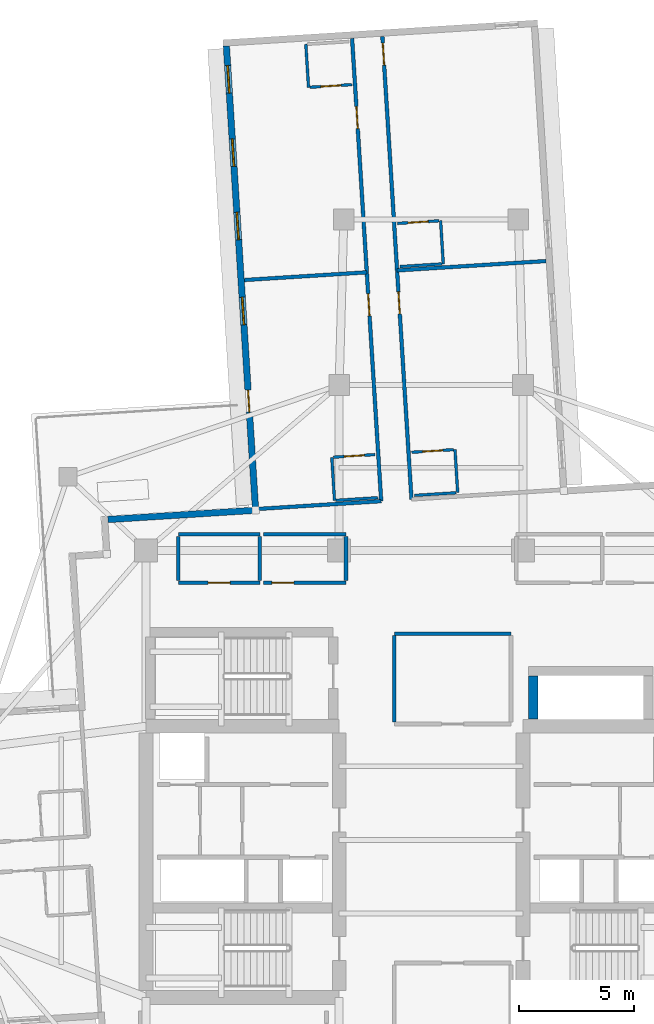
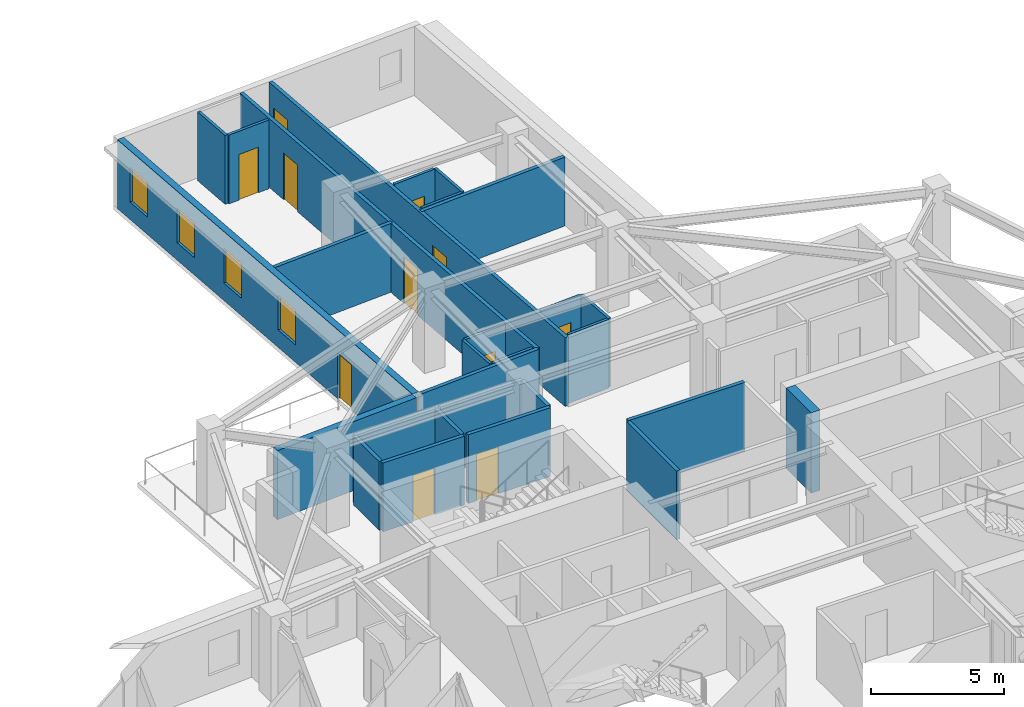
# One storey, part 7 of 13: 28 walls, 11 doors, 4 windows, 15 openings.
"""IFC4 building model written with IfcOpenShell, lengths in metres."""

from ifc_helpers import new_model, si_unit, direction, frame, frame_2d, origin, place, context, subcontext, project, spatial, rectangle, extrude, material, layer, layer_set, type_object, element, fill, save


model = new_model("IFC4")

# Units and contexts
model_context = context("Model", 3, precision=1e-05, world=origin(), true_north=direction((0.0, 1.0)))
body_context = subcontext(model_context, "Body", "Model", "MODEL_VIEW")
ifc_project = project(units=[si_unit("LENGTHUNIT", "METRE"), si_unit("AREAUNIT", "SQUARE_METRE"), si_unit("VOLUMEUNIT", "CUBIC_METRE"), si_unit("PLANEANGLEUNIT", "RADIAN"), si_unit("MASSUNIT", "GRAM", prefix="KILO")], contexts=[model_context])

# Site, building, storey
site_placement = place(None, origin())
site = spatial("IfcSite", under=ifc_project, at=site_placement, CompositionType="ELEMENT")
building_placement = place(site_placement, origin())
building = spatial("IfcBuilding", under=site, at=building_placement, Name="Qingluan Cross Belvedere", CompositionType="ELEMENT")
storey_placement = place(building_placement, frame((0.0, 0.0, 201.300048828125)))
storey = spatial("IfcBuildingStorey", under=building, at=storey_placement, Name="L50", CompositionType="ELEMENT", Elevation=201.300048828125)

# Wall
ifc_material_1 = material(Name="Concrete C50", Category="concrete")
ifc_layer_1 = layer(ifc_material_1, 0.449951171875, Name="CoreShearWall_450")
ifc_layer_set_1 = layer_set([ifc_layer_1], Name="Concrete C50")
wall_type_1 = type_object("IfcWallType", Name="CoreShearWall_450", PredefinedType="SHEAR", material=ifc_layer_set_1)
wall_1_placement = place(storey_placement, frame((4.449951171875, 5.2548828125, 0.0), z_axis=(0.0, 0.0, 1.0), x_axis=(0.0, 1.0, 0.0)))
element("IfcWall", 1, at=wall_1_placement, inside=storey, type_object=wall_type_1, Name="Express shuttle core wall L50-W", PredefinedType="SHEAR", context=body_context, shape_type="SweptSolid", body=[
    extrude(rectangle(XDim=1.885009765625, YDim=0.39990234375, at=frame_2d((0.9423828125, 0.0))), origin(), (0.0, 0.0, 1.0), 3.699951171875),
])

# Wall, opening, door
ifc_material_2 = material(Name="Gypsum plasterboard on steel stud acoustic partition", Category="steel")
ifc_layer_2 = layer(ifc_material_2, 0.159912109375, Name="CorridorPartition_160")
ifc_layer_set_2 = layer_set([ifc_layer_2], Name="Gypsum plasterboard on steel stud acoustic partition")
wall_type_2 = type_object("IfcWallType", Name="CorridorPartition_160", PredefinedType="PARTITIONING", material=ifc_layer_set_2)
wall_2_placement = place(storey_placement, frame((-11.0, 11.199951171875, 0.0), z_axis=(0.0, 0.0, 1.0), x_axis=(1.0, 0.0, 0.0)))
wall_2 = element("IfcWall", 2, at=wall_2_placement, inside=storey, type_object=wall_type_2, Name="Partition L50:q_nw1:S", PredefinedType="PARTITIONING", context=body_context, shape_type="SweptSolid", body=[
    extrude(rectangle(XDim=3.550048828125, YDim=0.159912109375, at=frame_2d((1.77490234375, 0.0))), origin(), (0.0, 0.0, 1.0), 3.169921875),
])
opening_1_placement = place(wall_2_placement, frame((1.294921875, 0.0, 0.0)))
opening_1 = element("IfcOpeningElement", 3, at=opening_1_placement, cuts=wall_2, Name="Opening GD-10", PredefinedType="OPENING", context=body_context, shape_type="SweptSolid", body=[
    extrude(rectangle(XDim=0.9599609375, YDim=2.14990234375, at=frame_2d((0.47998046875, 1.074951171875))), frame((0.0, 0.08984375, 0.0), z_axis=(0.0, -1.0, 0.0), x_axis=(1.0, 0.0, 0.0)), (0.0, 0.0, 1.0), 0.179931640625),
])
ifc_material_3 = material(Name="Timber oak fire-rated acoustic guestroom door", Category="wood")
door_type_1 = type_object("IfcDoorType", Name="GuestEntryDoor_FD60", OperationType="NOTDEFINED", PredefinedType="DOOR", material=ifc_material_3)
door_1_placement = place(opening_1_placement, origin())
door_1 = element("IfcDoor", 4, at=door_1_placement, inside=storey, type_object=door_type_1, Name="Northwest sky parlor L50 door", OperationType="SINGLE_SWING_RIGHT", OverallHeight=2.14990234375, OverallWidth=0.9599609375, PredefinedType="DOOR", context=body_context, shape_type="SweptSolid", body=[
    extrude(rectangle(XDim=0.9599609375, YDim=2.14990234375, at=frame_2d((0.47998046875, 1.074951171875))), frame((0.0, 0.02490234375, 0.0), z_axis=(0.0, -1.0, 0.0), x_axis=(1.0, 0.0, 0.0)), (0.0, 0.0, 1.0), 0.050048828125),
])
fill(opening_1, door_1)

# Walls
wall_3_placement = place(storey_placement, frame((-11.0, 13.300048828125, 0.0), z_axis=(0.0, 0.0, 1.0), x_axis=(1.0, 0.0, 0.0)))
element("IfcWall", 5, at=wall_3_placement, inside=storey, type_object=wall_type_2, Name="Partition L50:q_nw1:N", PredefinedType="PARTITIONING", context=body_context, shape_type="SweptSolid", body=[
    extrude(rectangle(XDim=3.550048828125, YDim=0.159912109375, at=frame_2d((1.77490234375, 0.0))), origin(), (0.0, 0.0, 1.0), 3.169921875),
])
for number, where, z_axis, x_axis, name in (
    (6, (-11.0, 11.284912109375, 0.0), (0.0, 0.0, 1.0), (0.0, 1.0, 0.0), "Partition L50:q_nw1:W"),
    (7, (-7.449951171875, 11.284912109375, 0.0), (0.0, 0.0, 1.0), (0.0, 1.0, 0.0), "Partition L50:q_nw1:E"),
):
    element("IfcWall", number, at=place(storey_placement, frame(where, z_axis=z_axis, x_axis=x_axis)), inside=storey, type_object=wall_type_2, Name=name, PredefinedType="PARTITIONING", context=body_context, shape_type="SweptSolid", body=[
        extrude(rectangle(XDim=1.93017578125, YDim=0.159912109375, at=frame_2d((0.965087890625, 0.0))), origin(), (0.0, 0.0, 1.0), 3.169921875),
    ])

# Wall, opening, door
wall_4_placement = place(storey_placement, frame((-7.2900390625, 11.199951171875, 0.0), z_axis=(0.0, 0.0, 1.0), x_axis=(1.0, 0.0, 0.0)))
wall_4 = element("IfcWall", 8, at=wall_4_placement, inside=storey, type_object=wall_type_2, Name="Partition L50:q_nw2:S", PredefinedType="PARTITIONING", context=body_context, shape_type="SweptSolid", body=[
    extrude(rectangle(XDim=3.590087890625, YDim=0.159912109375, at=frame_2d((1.794921875, 0.0))), origin(), (0.0, 0.0, 1.0), 3.169921875),
])
opening_2_placement = place(wall_4_placement, frame((0.364990234375, 0.0, 0.0)))
opening_2 = element("IfcOpeningElement", 9, at=opening_2_placement, cuts=wall_4, Name="Opening GD-10", PredefinedType="OPENING", context=body_context, shape_type="SweptSolid", body=[
    extrude(rectangle(XDim=0.9599609375, YDim=2.14990234375, at=frame_2d((0.47998046875, 1.074951171875))), frame((0.0, 0.08984375, 0.0), z_axis=(0.0, -1.0, 0.0), x_axis=(1.0, 0.0, 0.0)), (0.0, 0.0, 1.0), 0.179931640625),
])
door_2_placement = place(opening_2_placement, origin())
door_2 = element("IfcDoor", 10, at=door_2_placement, inside=storey, type_object=door_type_1, Name="Northwest study salon L50 door", OperationType="SINGLE_SWING_LEFT", OverallHeight=2.14990234375, OverallWidth=0.9599609375, PredefinedType="DOOR", context=body_context, shape_type="SweptSolid", body=[
    extrude(rectangle(XDim=0.9599609375, YDim=2.14990234375, at=frame_2d((0.47998046875, 1.074951171875))), frame((0.0, 0.02490234375, 0.0), z_axis=(0.0, -1.0, 0.0), x_axis=(1.0, 0.0, 0.0)), (0.0, 0.0, 1.0), 0.050048828125),
])
fill(opening_2, door_2)

# Walls
wall_5_placement = place(storey_placement, frame((-7.2900390625, 13.300048828125, 0.0), z_axis=(0.0, 0.0, 1.0), x_axis=(1.0, 0.0, 0.0)))
element("IfcWall", 11, at=wall_5_placement, inside=storey, type_object=wall_type_2, Name="Partition L50:q_nw2:N", PredefinedType="PARTITIONING", context=body_context, shape_type="SweptSolid", body=[
    extrude(rectangle(XDim=3.590087890625, YDim=0.159912109375, at=frame_2d((1.794921875, 0.0))), origin(), (0.0, 0.0, 1.0), 3.169921875),
])
wall_6_placement = place(storey_placement, frame((-3.699951171875, 11.284912109375, 0.0), z_axis=(0.0, 0.0, 1.0), x_axis=(0.0, 1.0, 0.0)))
element("IfcWall", 12, at=wall_6_placement, inside=storey, type_object=wall_type_2, Name="Partition L50:q_nw2:E", PredefinedType="PARTITIONING", context=body_context, shape_type="SweptSolid", body=[
    extrude(rectangle(XDim=1.93017578125, YDim=0.159912109375, at=frame_2d((0.965087890625, 0.0))), origin(), (0.0, 0.0, 1.0), 3.169921875),
])
wall_7_placement = place(storey_placement, frame((-1.60009765625, 8.97998046875, 0.0), z_axis=(0.0, 0.0, 1.0), x_axis=(1.0, 0.0, 0.0)))
element("IfcWall", 13, at=wall_7_placement, inside=storey, type_object=wall_type_2, Name="Partition L50:sky_tea_alcove:N", PredefinedType="PARTITIONING", context=body_context, shape_type="SweptSolid", body=[
    extrude(rectangle(XDim=5.080078125, YDim=0.159912109375, at=frame_2d((2.5400390625, 0.0))), origin(), (0.0, 0.0, 1.0), 3.169921875),
])
wall_8_placement = place(storey_placement, frame((-1.60009765625, 5.135009765625, 0.0), z_axis=(0.0, 0.0, 1.0), x_axis=(0.0, 1.0, 0.0)))
element("IfcWall", 14, at=wall_8_placement, inside=storey, type_object=wall_type_2, Name="Partition L50:sky_tea_alcove:W", PredefinedType="PARTITIONING", context=body_context, shape_type="SweptSolid", body=[
    extrude(rectangle(XDim=3.760009765625, YDim=0.159912109375, at=frame_2d((1.8798828125, 0.0))), origin(), (0.0, 0.0, 1.0), 3.169921875),
])

# Wall, openings, doors
wall_9_placement = place(storey_placement, frame((-0.8525390625, 14.82568359375, 0.0), z_axis=(0.0, 0.0, 1.0), x_axis=(-0.062794751284, 0.99802646218, 0.0)))
wall_9 = element("IfcWall", 15, at=wall_9_placement, inside=storey, type_object=wall_type_2, Name="Partition L50:N:c0", PredefinedType="PARTITIONING", context=body_context, shape_type="SweptSolid", body=[
    extrude(rectangle(XDim=20.18212890625, YDim=0.159912109375, at=frame_2d((10.091064453125, 0.0))), origin(), (0.0, 0.0, 1.0), 3.169921875),
])
opening_3_placement = place(wall_9_placement, frame((8.080078125, 0.0, 0.0)))
opening_3 = element("IfcOpeningElement", 16, at=opening_3_placement, cuts=wall_9, Name="Opening GD-10", PredefinedType="OPENING", context=body_context, shape_type="SweptSolid", body=[
    extrude(rectangle(XDim=0.9599609375, YDim=2.14990234375, at=frame_2d((0.47998046875, 1.074951171875))), frame((0.0, 0.08984375, 0.0), z_axis=(0.0, -1.0, 0.0), x_axis=(1.0, 0.0, 0.0)), (0.0, 0.0, 1.0), 0.179931640625),
])
opening_4_placement = place(wall_9_placement, frame((18.929931640625, 0.0, 0.0)))
opening_4 = element("IfcOpeningElement", 17, at=opening_4_placement, cuts=wall_9, Name="Opening GD-10", PredefinedType="OPENING", context=body_context, shape_type="SweptSolid", body=[
    extrude(rectangle(XDim=0.9599609375, YDim=2.14990234375, at=frame_2d((0.47998046875, 1.074951171875))), frame((0.0, 0.08984375, 0.0), z_axis=(0.0, -1.0, 0.0), x_axis=(1.0, 0.0, 0.0)), (0.0, 0.0, 1.0), 0.179931640625),
])
door_3_placement = place(opening_3_placement, origin())
door_3 = element("IfcDoor", 18, at=door_3_placement, inside=storey, type_object=door_type_1, Name="Guest entry fire door 5013", OperationType="SINGLE_SWING_LEFT", OverallHeight=2.14990234375, OverallWidth=0.9599609375, PredefinedType="DOOR", context=body_context, shape_type="SweptSolid", body=[
    extrude(rectangle(XDim=0.9599609375, YDim=2.14990234375, at=frame_2d((0.47998046875, 1.074951171875))), frame((0.0, 0.02490234375, 0.0), z_axis=(0.0, -1.0, 0.0), x_axis=(1.0, 0.0, 0.0)), (0.0, 0.0, 1.0), 0.050048828125),
])
fill(opening_3, door_3)
door_4_placement = place(opening_4_placement, origin())
door_4 = element("IfcDoor", 19, at=door_4_placement, inside=storey, type_object=door_type_1, Name="Guest entry fire door 5014", OperationType="SINGLE_SWING_LEFT", OverallHeight=2.14990234375, OverallWidth=0.9599609375, PredefinedType="DOOR", context=body_context, shape_type="SweptSolid", body=[
    extrude(rectangle(XDim=0.9599609375, YDim=2.14990234375, at=frame_2d((0.47998046875, 1.074951171875))), frame((0.0, 0.02490234375, 0.0), z_axis=(0.0, -1.0, 0.0), x_axis=(1.0, 0.0, 0.0)), (0.0, 0.0, 1.0), 0.050048828125),
])
fill(opening_4, door_4)

# Wall
wall_10_placement = place(storey_placement, frame((-1.47900390625, 24.783935546875, 0.0), z_axis=(0.0, 0.0, 1.0), x_axis=(0.998025855021, 0.062804400403, 0.0)))
element("IfcWall", 20, at=wall_10_placement, inside=storey, type_object=wall_type_2, Name="Partition L50:N:d0_0", PredefinedType="PARTITIONING", context=body_context, shape_type="SweptSolid", body=[
    extrude(rectangle(XDim=6.49169921875, YDim=0.159912109375, at=frame_2d((3.245849609375, 0.0))), origin(), (0.0, 0.0, 1.0), 3.169921875),
])

# Wall, openings, doors
wall_11_placement = place(storey_placement, frame((-2.169921875, 14.742919921875, 0.0), z_axis=(0.0, 0.0, 1.0), x_axis=(-0.062795509413, 0.998026414479, 0.0)))
wall_11 = element("IfcWall", 21, at=wall_11_placement, inside=storey, type_object=wall_type_2, Name="Partition L50:N:c1", PredefinedType="PARTITIONING", context=body_context, shape_type="SweptSolid", body=[
    extrude(rectangle(XDim=20.181884765625, YDim=0.159912109375, at=frame_2d((10.0908203125, 0.0))), origin(), (0.0, 0.0, 1.0), 3.169921875),
])
opening_5_placement = place(wall_11_placement, frame((8.080078125, 0.0, 0.0)))
opening_5 = element("IfcOpeningElement", 22, at=opening_5_placement, cuts=wall_11, Name="Opening GD-10", PredefinedType="OPENING", context=body_context, shape_type="SweptSolid", body=[
    extrude(rectangle(XDim=0.9599609375, YDim=2.14990234375, at=frame_2d((0.47998046875, 1.074951171875))), frame((0.0, 0.08984375, 0.0), z_axis=(0.0, -1.0, 0.0), x_axis=(1.0, 0.0, 0.0)), (0.0, 0.0, 1.0), 0.179931640625),
])
opening_6_placement = place(wall_11_placement, frame((16.2470703125, 0.0, 0.0)))
opening_6 = element("IfcOpeningElement", 23, at=opening_6_placement, cuts=wall_11, Name="Opening GD-10", PredefinedType="OPENING", context=body_context, shape_type="SweptSolid", body=[
    extrude(rectangle(XDim=0.9599609375, YDim=2.14990234375, at=frame_2d((0.47998046875, 1.074951171875))), frame((0.0, 0.08984375, 0.0), z_axis=(0.0, -1.0, 0.0), x_axis=(1.0, 0.0, 0.0)), (0.0, 0.0, 1.0), 0.179931640625),
])
door_5_placement = place(opening_5_placement, origin())
door_5 = element("IfcDoor", 24, at=door_5_placement, inside=storey, type_object=door_type_1, Name="Guest entry fire door 5015", OperationType="SINGLE_SWING_LEFT", OverallHeight=2.14990234375, OverallWidth=0.9599609375, PredefinedType="DOOR", context=body_context, shape_type="SweptSolid", body=[
    extrude(rectangle(XDim=0.9599609375, YDim=2.14990234375, at=frame_2d((0.47998046875, 1.074951171875))), frame((0.0, 0.02490234375, 0.0), z_axis=(0.0, -1.0, 0.0), x_axis=(1.0, 0.0, 0.0)), (0.0, 0.0, 1.0), 0.050048828125),
])
fill(opening_5, door_5)
door_6_placement = place(opening_6_placement, origin())
door_6 = element("IfcDoor", 25, at=door_6_placement, inside=storey, type_object=door_type_1, Name="Guest entry fire door 5016", OperationType="SINGLE_SWING_LEFT", OverallHeight=2.14990234375, OverallWidth=0.9599609375, PredefinedType="DOOR", context=body_context, shape_type="SweptSolid", body=[
    extrude(rectangle(XDim=0.9599609375, YDim=2.14990234375, at=frame_2d((0.47998046875, 1.074951171875))), frame((0.0, 0.02490234375, 0.0), z_axis=(0.0, -1.0, 0.0), x_axis=(1.0, 0.0, 0.0)), (0.0, 0.0, 1.0), 0.050048828125),
])
fill(opening_6, door_6)

# Walls
wall_12_placement = place(storey_placement, frame((-2.169921875, 14.742919921875, 0.0), z_axis=(0.0, 0.0, 1.0), x_axis=(-0.998025093119, -0.06281650662, 0.0)))
element("IfcWall", 26, at=wall_12_placement, inside=storey, type_object=wall_type_2, Name="Partition L50:N:s1", PredefinedType="PARTITIONING", context=body_context, shape_type="SweptSolid", body=[
    extrude(rectangle(XDim=5.47998046875, YDim=0.159912109375, at=frame_2d((2.739990234375, 0.0))), origin(), (0.0, 0.0, 1.0), 3.169921875),
])
wall_13_placement = place(storey_placement, frame((-2.79638671875, 24.701171875, 0.0), z_axis=(0.0, 0.0, 1.0), x_axis=(-0.998027735445, -0.062774511414, 0.0)))
element("IfcWall", 27, at=wall_13_placement, inside=storey, type_object=wall_type_2, Name="Partition L50:N:d1_0", PredefinedType="PARTITIONING", context=body_context, shape_type="SweptSolid", body=[
    extrude(rectangle(XDim=5.33203125, YDim=0.159912109375, at=frame_2d((2.666015625, 0.0))), origin(), (0.0, 0.0, 1.0), 3.169921875),
])

# Wall, opening, door
ifc_material_4 = material(Name="Moisture-resistant gypsum board lining")
ifc_layer_3 = layer(ifc_material_4, 0.1201171875, Name="EnsuiteWetPartition_120")
ifc_layer_set_3 = layer_set([ifc_layer_3], Name="Moisture-resistant gypsum board lining")
wall_type_3 = type_object("IfcWallType", Name="EnsuiteWetPartition_120", PredefinedType="PARTITIONING", material=ifc_layer_set_3)
wall_14_placement = place(storey_placement, frame((-0.841064453125, 16.87060546875, 0.0), z_axis=(0.0, 0.0, 1.0), x_axis=(0.998027443946, 0.062779145668, 0.0)))
wall_14 = element("IfcWall", 28, at=wall_14_placement, inside=storey, type_object=wall_type_3, Name="Partition L50:N:bs0_0", PredefinedType="PARTITIONING", context=body_context, shape_type="SweptSolid", body=[
    extrude(rectangle(XDim=1.820068359375, YDim=0.1201171875, at=frame_2d((0.91015625, 0.0))), origin(), (0.0, 0.0, 1.0), 3.169921875),
])
opening_7_placement = place(wall_14_placement, frame((0.469970703125, 0.0, 0.0)))
opening_7 = element("IfcOpeningElement", 29, at=opening_7_placement, cuts=wall_14, Name="Opening BD-09", PredefinedType="OPENING", context=body_context, shape_type="SweptSolid", body=[
    extrude(rectangle(XDim=0.8798828125, YDim=2.10009765625, at=frame_2d((0.43994140625, 1.050048828125))), frame((0.0, 0.070068359375, 0.0), z_axis=(0.0, -1.0, 0.0), x_axis=(1.0, 0.0, 0.0)), (0.0, 0.0, 1.0), 0.14013671875),
])
ifc_material_5 = material(Name="Moisture-sealed timber en-suite door", Category="wood")
door_type_2 = type_object("IfcDoorType", Name="BathroomDoor_880", OperationType="NOTDEFINED", PredefinedType="DOOR", material=ifc_material_5)
door_7_placement = place(opening_7_placement, origin())
door_7 = element("IfcDoor", 30, at=door_7_placement, inside=storey, type_object=door_type_2, Name="Bathroom door 5013", OperationType="SINGLE_SWING_RIGHT", OverallHeight=2.10009765625, OverallWidth=0.8798828125, PredefinedType="DOOR", context=body_context, shape_type="SweptSolid", body=[
    extrude(rectangle(XDim=0.8798828125, YDim=2.10009765625, at=frame_2d((0.43994140625, 1.050048828125))), frame((0.0, 0.02490234375, 0.0), z_axis=(0.0, -1.0, 0.0), x_axis=(1.0, 0.0, 0.0)), (0.0, 0.0, 1.0), 0.050048828125),
])
fill(opening_7, door_7)

# Walls
wall_15_placement = place(storey_placement, frame((-0.722900390625, 14.994140625, 0.0), z_axis=(0.0, 0.0, 1.0), x_axis=(0.998027443946, 0.062779145668, 0.0)))
element("IfcWall", 31, at=wall_15_placement, inside=storey, type_object=wall_type_3, Name="Partition L50:N:bw0_0", PredefinedType="PARTITIONING", context=body_context, shape_type="SweptSolid", body=[
    extrude(rectangle(XDim=1.820068359375, YDim=0.1201171875, at=frame_2d((0.91015625, 0.0))), origin(), (0.0, 0.0, 1.0), 3.169921875),
])
wall_16_placement = place(storey_placement, frame((1.158447265625, 15.112548828125, 0.0), z_axis=(0.0, 0.0, 1.0), x_axis=(-0.062855297722, 0.998022650819, 0.0)))
element("IfcWall", 32, at=wall_16_placement, inside=storey, type_object=wall_type_3, Name="Partition L50:N:bn0_0", PredefinedType="PARTITIONING", context=body_context, shape_type="SweptSolid", body=[
    extrude(rectangle(XDim=1.8798828125, YDim=0.1201171875, at=frame_2d((0.93994140625, 0.0))), origin(), (0.0, 0.0, 1.0), 3.169921875),
])

# Wall, opening, door
wall_17_placement = place(storey_placement, frame((-1.467529296875, 26.828857421875, 0.0), z_axis=(0.0, 0.0, 1.0), x_axis=(0.998027443946, 0.062779145668, 0.0)))
wall_17 = element("IfcWall", 33, at=wall_17_placement, inside=storey, type_object=wall_type_3, Name="Partition L50:N:bs0_1", PredefinedType="PARTITIONING", context=body_context, shape_type="SweptSolid", body=[
    extrude(rectangle(XDim=1.820068359375, YDim=0.1201171875, at=frame_2d((0.91015625, 0.0))), origin(), (0.0, 0.0, 1.0), 3.169921875),
])
opening_8_placement = place(wall_17_placement, frame((0.469970703125, 0.0, 0.0)))
opening_8 = element("IfcOpeningElement", 34, at=opening_8_placement, cuts=wall_17, Name="Opening BD-09", PredefinedType="OPENING", context=body_context, shape_type="SweptSolid", body=[
    extrude(rectangle(XDim=0.8798828125, YDim=2.10009765625, at=frame_2d((0.43994140625, 1.050048828125))), frame((0.0, 0.070068359375, 0.0), z_axis=(0.0, -1.0, 0.0), x_axis=(1.0, 0.0, 0.0)), (0.0, 0.0, 1.0), 0.14013671875),
])
door_8_placement = place(opening_8_placement, origin())
door_8 = element("IfcDoor", 35, at=door_8_placement, inside=storey, type_object=door_type_2, Name="Bathroom door 5014", OperationType="SINGLE_SWING_RIGHT", OverallHeight=2.10009765625, OverallWidth=0.8798828125, PredefinedType="DOOR", context=body_context, shape_type="SweptSolid", body=[
    extrude(rectangle(XDim=0.8798828125, YDim=2.10009765625, at=frame_2d((0.43994140625, 1.050048828125))), frame((0.0, 0.02490234375, 0.0), z_axis=(0.0, -1.0, 0.0), x_axis=(1.0, 0.0, 0.0)), (0.0, 0.0, 1.0), 0.050048828125),
])
fill(opening_8, door_8)

# Walls
wall_18_placement = place(storey_placement, frame((-1.349365234375, 24.952392578125, 0.0), z_axis=(0.0, 0.0, 1.0), x_axis=(0.998019030272, 0.062912758763, 0.0)))
element("IfcWall", 36, at=wall_18_placement, inside=storey, type_object=wall_type_3, Name="Partition L50:N:bw0_1", PredefinedType="PARTITIONING", context=body_context, shape_type="SweptSolid", body=[
    extrude(rectangle(XDim=1.820068359375, YDim=0.1201171875, at=frame_2d((0.91015625, 0.0))), origin(), (0.0, 0.0, 1.0), 3.169921875),
])
wall_19_placement = place(storey_placement, frame((0.53173828125, 25.07080078125, 0.0), z_axis=(0.0, 0.0, 1.0), x_axis=(-0.062717813936, 0.998031300018, 0.0)))
element("IfcWall", 37, at=wall_19_placement, inside=storey, type_object=wall_type_3, Name="Partition L50:N:bn0_1", PredefinedType="PARTITIONING", context=body_context, shape_type="SweptSolid", body=[
    extrude(rectangle(XDim=1.880126953125, YDim=0.1201171875, at=frame_2d((0.93994140625, 0.0))), origin(), (0.0, 0.0, 1.0), 3.169921875),
])

# Wall, opening, door
wall_20_placement = place(storey_placement, frame((-4.254150390625, 16.65576171875, 0.0), z_axis=(0.0, 0.0, 1.0), x_axis=(0.998027443946, 0.062779145668, 0.0)))
wall_20 = element("IfcWall", 38, at=wall_20_placement, inside=storey, type_object=wall_type_3, Name="Partition L50:N:bs1_0", PredefinedType="PARTITIONING", context=body_context, shape_type="SweptSolid", body=[
    extrude(rectangle(XDim=1.820068359375, YDim=0.1201171875, at=frame_2d((0.91015625, 0.0))), origin(), (0.0, 0.0, 1.0), 3.169921875),
])
opening_9_placement = place(wall_20_placement, frame((0.469970703125, 0.0, 0.0)))
opening_9 = element("IfcOpeningElement", 39, at=opening_9_placement, cuts=wall_20, Name="Opening BD-09", PredefinedType="OPENING", context=body_context, shape_type="SweptSolid", body=[
    extrude(rectangle(XDim=0.8798828125, YDim=2.10009765625, at=frame_2d((0.43994140625, 1.050048828125))), frame((0.0, 0.070068359375, 0.0), z_axis=(0.0, -1.0, 0.0), x_axis=(1.0, 0.0, 0.0)), (0.0, 0.0, 1.0), 0.14013671875),
])
door_9_placement = place(opening_9_placement, origin())
door_9 = element("IfcDoor", 40, at=door_9_placement, inside=storey, type_object=door_type_2, Name="Bathroom door 5015", OperationType="SINGLE_SWING_RIGHT", OverallHeight=2.10009765625, OverallWidth=0.8798828125, PredefinedType="DOOR", context=body_context, shape_type="SweptSolid", body=[
    extrude(rectangle(XDim=0.8798828125, YDim=2.10009765625, at=frame_2d((0.43994140625, 1.050048828125))), frame((0.0, 0.02490234375, 0.0), z_axis=(0.0, -1.0, 0.0), x_axis=(1.0, 0.0, 0.0)), (0.0, 0.0, 1.0), 0.050048828125),
])
fill(opening_9, door_9)

# Walls
wall_21_placement = place(storey_placement, frame((-4.13623046875, 14.779541015625, 0.0), z_axis=(0.0, 0.0, 1.0), x_axis=(0.998027443946, 0.062779145668, 0.0)))
element("IfcWall", 41, at=wall_21_placement, inside=storey, type_object=wall_type_3, Name="Partition L50:N:bw1_0", PredefinedType="PARTITIONING", context=body_context, shape_type="SweptSolid", body=[
    extrude(rectangle(XDim=1.820068359375, YDim=0.1201171875, at=frame_2d((0.91015625, 0.0))), origin(), (0.0, 0.0, 1.0), 3.169921875),
])
wall_22_placement = place(storey_placement, frame((-4.200927734375, 14.775390625, 0.0), z_axis=(0.0, 0.0, 1.0), x_axis=(-0.062855297722, 0.998022650819, 0.0)))
element("IfcWall", 42, at=wall_22_placement, inside=storey, type_object=wall_type_3, Name="Partition L50:N:bc1_0", PredefinedType="PARTITIONING", context=body_context, shape_type="SweptSolid", body=[
    extrude(rectangle(XDim=1.8798828125, YDim=0.1201171875, at=frame_2d((0.93994140625, 0.0))), origin(), (0.0, 0.0, 1.0), 3.169921875),
])

# Wall, opening, door
wall_23_placement = place(storey_placement, frame((-5.26708984375, 32.75390625, 0.0), z_axis=(0.0, 0.0, 1.0), x_axis=(0.998027443946, 0.062779145668, 0.0)))
wall_23 = element("IfcWall", 43, at=wall_23_placement, inside=storey, type_object=wall_type_3, Name="Partition L50:N:bs1_1", PredefinedType="PARTITIONING", context=body_context, shape_type="SweptSolid", body=[
    extrude(rectangle(XDim=1.820068359375, YDim=0.1201171875, at=frame_2d((0.91015625, 0.0))), origin(), (0.0, 0.0, 1.0), 3.169921875),
])
opening_10_placement = place(wall_23_placement, frame((0.469970703125, 0.0, 0.0)))
opening_10 = element("IfcOpeningElement", 44, at=opening_10_placement, cuts=wall_23, Name="Opening BD-09", PredefinedType="OPENING", context=body_context, shape_type="SweptSolid", body=[
    extrude(rectangle(XDim=0.8798828125, YDim=2.10009765625, at=frame_2d((0.43994140625, 1.050048828125))), frame((0.0, 0.070068359375, 0.0), z_axis=(0.0, -1.0, 0.0), x_axis=(1.0, 0.0, 0.0)), (0.0, 0.0, 1.0), 0.14013671875),
])
door_10_placement = place(opening_10_placement, origin())
door_10 = element("IfcDoor", 45, at=door_10_placement, inside=storey, type_object=door_type_2, Name="Bathroom door 5016", OperationType="SINGLE_SWING_RIGHT", OverallHeight=2.10009765625, OverallWidth=0.8798828125, PredefinedType="DOOR", context=body_context, shape_type="SweptSolid", body=[
    extrude(rectangle(XDim=0.8798828125, YDim=2.10009765625, at=frame_2d((0.43994140625, 1.050048828125))), frame((0.0, 0.02490234375, 0.0), z_axis=(0.0, -1.0, 0.0), x_axis=(1.0, 0.0, 0.0)), (0.0, 0.0, 1.0), 0.050048828125),
])
fill(opening_10, door_10)

# Wall
wall_24_placement = place(storey_placement, frame((-5.331787109375, 32.749755859375, 0.0), z_axis=(0.0, 0.0, 1.0), x_axis=(-0.062847152131, 0.998023163794, 0.0)))
element("IfcWall", 46, at=wall_24_placement, inside=storey, type_object=wall_type_3, Name="Partition L50:N:bc1_1", PredefinedType="PARTITIONING", context=body_context, shape_type="SweptSolid", body=[
    extrude(rectangle(XDim=1.880126953125, YDim=0.1201171875, at=frame_2d((0.93994140625, 0.0))), origin(), (0.0, 0.0, 1.0), 3.169921875),
])

# Wall, openings, windows, door
ifc_material_6 = material(Name="Precast concrete C45", Category="concrete")
ifc_layer_4 = layer(ifc_material_6, 0.280029296875, Name="PrecastFacadeWall_280")
ifc_layer_set_4 = layer_set([ifc_layer_4], Name="Precast concrete C45")
wall_type_4 = type_object("IfcWallType", Name="PrecastFacadeWall_280", PredefinedType="STANDARD", material=ifc_layer_set_4)
wall_25_placement = place(storey_placement, frame((-8.906982421875, 34.548828125, 0.0), z_axis=(0.0, 0.0, 1.0), x_axis=(0.06279645424, -0.99802635503, 0.0)))
wall_25 = element("IfcWall", 47, at=wall_25_placement, inside=storey, type_object=wall_type_4, Name="Facade wall L50-NB", PredefinedType="STANDARD", context=body_context, shape_type="SweptSolid", body=[
    extrude(rectangle(XDim=20.099853515625, YDim=0.280029296875, at=frame_2d((10.0498046875, 0.0))), origin(), (0.0, 0.0, 1.0), 3.179931640625),
])
opening_11_placement = place(wall_25_placement, frame((0.85009765625, 0.0, 0.800048828125)))
opening_11 = element("IfcOpeningElement", 48, at=opening_11_placement, cuts=wall_25, Name="Opening W-02", PredefinedType="OPENING", context=body_context, shape_type="SweptSolid", body=[
    extrude(rectangle(XDim=1.199951171875, YDim=1.60009765625, at=frame_2d((0.60009765625, 0.800048828125))), frame((0.0, 0.14990234375, 0.0), z_axis=(0.0, -1.0, 0.0), x_axis=(1.0, 0.0, 0.0)), (0.0, 0.0, 1.0), 0.300048828125),
])
opening_12_placement = place(wall_25_placement, frame((4.050048828125, 0.0, 0.800048828125)))
opening_12 = element("IfcOpeningElement", 49, at=opening_12_placement, cuts=wall_25, Name="Opening W-02", PredefinedType="OPENING", context=body_context, shape_type="SweptSolid", body=[
    extrude(rectangle(XDim=1.199951171875, YDim=1.60009765625, at=frame_2d((0.60009765625, 0.800048828125))), frame((0.0, 0.14990234375, 0.0), z_axis=(0.0, -1.0, 0.0), x_axis=(1.0, 0.0, 0.0)), (0.0, 0.0, 1.0), 0.300048828125),
])
opening_13_placement = place(wall_25_placement, frame((7.25, 0.0, 0.800048828125)))
opening_13 = element("IfcOpeningElement", 50, at=opening_13_placement, cuts=wall_25, Name="Opening W-02", PredefinedType="OPENING", context=body_context, shape_type="SweptSolid", body=[
    extrude(rectangle(XDim=1.199951171875, YDim=1.60009765625, at=frame_2d((0.60009765625, 0.800048828125))), frame((0.0, 0.14990234375, 0.0), z_axis=(0.0, -1.0, 0.0), x_axis=(1.0, 0.0, 0.0)), (0.0, 0.0, 1.0), 0.300048828125),
])
opening_14_placement = place(wall_25_placement, frame((10.949951171875, 0.0, 0.800048828125)))
opening_14 = element("IfcOpeningElement", 51, at=opening_14_placement, cuts=wall_25, Name="Opening W-02", PredefinedType="OPENING", context=body_context, shape_type="SweptSolid", body=[
    extrude(rectangle(XDim=1.199951171875, YDim=1.60009765625, at=frame_2d((0.60009765625, 0.800048828125))), frame((0.0, 0.14990234375, 0.0), z_axis=(0.0, -1.0, 0.0), x_axis=(1.0, 0.0, 0.0)), (0.0, 0.0, 1.0), 0.300048828125),
])
opening_15_placement = place(wall_25_placement, frame((15.0, 0.0, 0.0)))
opening_15 = element("IfcOpeningElement", 52, at=opening_15_placement, cuts=wall_25, Name="Opening WD-10", PredefinedType="OPENING", context=body_context, shape_type="SweptSolid", body=[
    extrude(rectangle(XDim=0.9599609375, YDim=2.10009765625, at=frame_2d((0.47998046875, 1.050048828125))), frame((0.0, 0.14990234375, 0.0), z_axis=(0.0, -1.0, 0.0), x_axis=(1.0, 0.0, 0.0)), (0.0, 0.0, 1.0), 0.300048828125),
])
ifc_material_7 = material(Name="Thermally broken triple Low-E glass in aluminium frame", Category="aluminium")
window_type = type_object("IfcWindowType", Name="TriRibbonWin_1200x1600", PartitioningType="SINGLE_PANEL", PredefinedType="WINDOW", material=ifc_material_7)
window_1_placement = place(opening_11_placement, origin())
window_1 = element("IfcWindow", 53, at=window_1_placement, inside=storey, type_object=window_type, Name="Ribbon window L50-NB-1", OverallHeight=1.60009765625, OverallWidth=1.199951171875, PartitioningType="SINGLE_PANEL", PredefinedType="WINDOW", context=body_context, shape_type="SweptSolid", body=[
    extrude(rectangle(XDim=1.199951171875, YDim=1.60009765625, at=frame_2d((0.60009765625, 0.800048828125))), frame((0.0, 0.030029296875, 0.0), z_axis=(0.0, -1.0, 0.0), x_axis=(1.0, 0.0, 0.0)), (0.0, 0.0, 1.0), 0.06005859375),
])
fill(opening_11, window_1)
window_2_placement = place(opening_12_placement, origin())
window_2 = element("IfcWindow", 54, at=window_2_placement, inside=storey, type_object=window_type, Name="Ribbon window L50-NB-2", OverallHeight=1.60009765625, OverallWidth=1.199951171875, PartitioningType="SINGLE_PANEL", PredefinedType="WINDOW", context=body_context, shape_type="SweptSolid", body=[
    extrude(rectangle(XDim=1.199951171875, YDim=1.60009765625, at=frame_2d((0.60009765625, 0.800048828125))), frame((0.0, 0.030029296875, 0.0), z_axis=(0.0, -1.0, 0.0), x_axis=(1.0, 0.0, 0.0)), (0.0, 0.0, 1.0), 0.06005859375),
])
fill(opening_12, window_2)
window_3_placement = place(opening_13_placement, origin())
window_3 = element("IfcWindow", 55, at=window_3_placement, inside=storey, type_object=window_type, Name="Ribbon window L50-NB-3", OverallHeight=1.60009765625, OverallWidth=1.199951171875, PartitioningType="SINGLE_PANEL", PredefinedType="WINDOW", context=body_context, shape_type="SweptSolid", body=[
    extrude(rectangle(XDim=1.199951171875, YDim=1.60009765625, at=frame_2d((0.60009765625, 0.800048828125))), frame((0.0, 0.030029296875, 0.0), z_axis=(0.0, -1.0, 0.0), x_axis=(1.0, 0.0, 0.0)), (0.0, 0.0, 1.0), 0.06005859375),
])
fill(opening_13, window_3)
window_4_placement = place(opening_14_placement, origin())
window_4 = element("IfcWindow", 56, at=window_4_placement, inside=storey, type_object=window_type, Name="Ribbon window L50-NB-4", OverallHeight=1.60009765625, OverallWidth=1.199951171875, PartitioningType="SINGLE_PANEL", PredefinedType="WINDOW", context=body_context, shape_type="SweptSolid", body=[
    extrude(rectangle(XDim=1.199951171875, YDim=1.60009765625, at=frame_2d((0.60009765625, 0.800048828125))), frame((0.0, 0.030029296875, 0.0), z_axis=(0.0, -1.0, 0.0), x_axis=(1.0, 0.0, 0.0)), (0.0, 0.0, 1.0), 0.06005859375),
])
fill(opening_14, window_4)
ifc_material_8 = material(Name="Thermally broken aluminium and Low-E glass", Category="aluminium")
door_type_3 = type_object("IfcDoorType", Name="WinterGardenDoor_096", OperationType="NOTDEFINED", PredefinedType="DOOR", material=ifc_material_8)
door_11_placement = place(opening_15_placement, origin())
door_11 = element("IfcDoor", 57, at=door_11_placement, inside=storey, type_object=door_type_3, Name="Outdoor terrace access door L50-spi", OperationType="SINGLE_SWING_RIGHT", OverallHeight=2.10009765625, OverallWidth=0.9599609375, PredefinedType="DOOR", context=body_context, shape_type="SweptSolid", body=[
    extrude(rectangle(XDim=0.9599609375, YDim=2.10009765625, at=frame_2d((0.47998046875, 1.050048828125))), frame((0.0, 0.02490234375, 0.0), z_axis=(0.0, -1.0, 0.0), x_axis=(1.0, 0.0, 0.0)), (0.0, 0.0, 1.0), 0.050048828125),
])
fill(opening_15, door_11)

# Wall
wall_26_placement = place(storey_placement, frame((-14.063232421875, 13.944580078125, 0.0), z_axis=(0.0, 0.0, 1.0), x_axis=(0.998027314704, 0.062781200242, 0.0)))
element("IfcWall", 58, at=wall_26_placement, inside=storey, type_object=wall_type_4, Name="Corner wall L50-NW4", PredefinedType="STANDARD", context=body_context, shape_type="SweptSolid", body=[
    extrude(rectangle(XDim=6.2998046875, YDim=0.280029296875, at=frame_2d((3.14990234375, 0.0))), origin(), (0.0, 0.0, 1.0), 3.179931640625),
])

save(model, "model.ifc")
